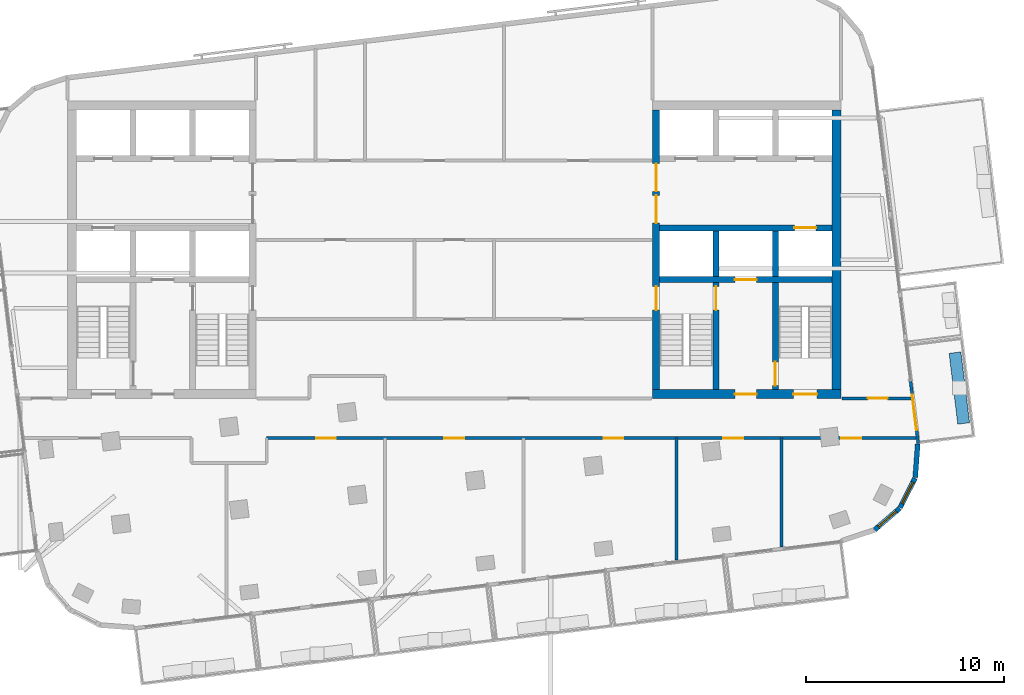
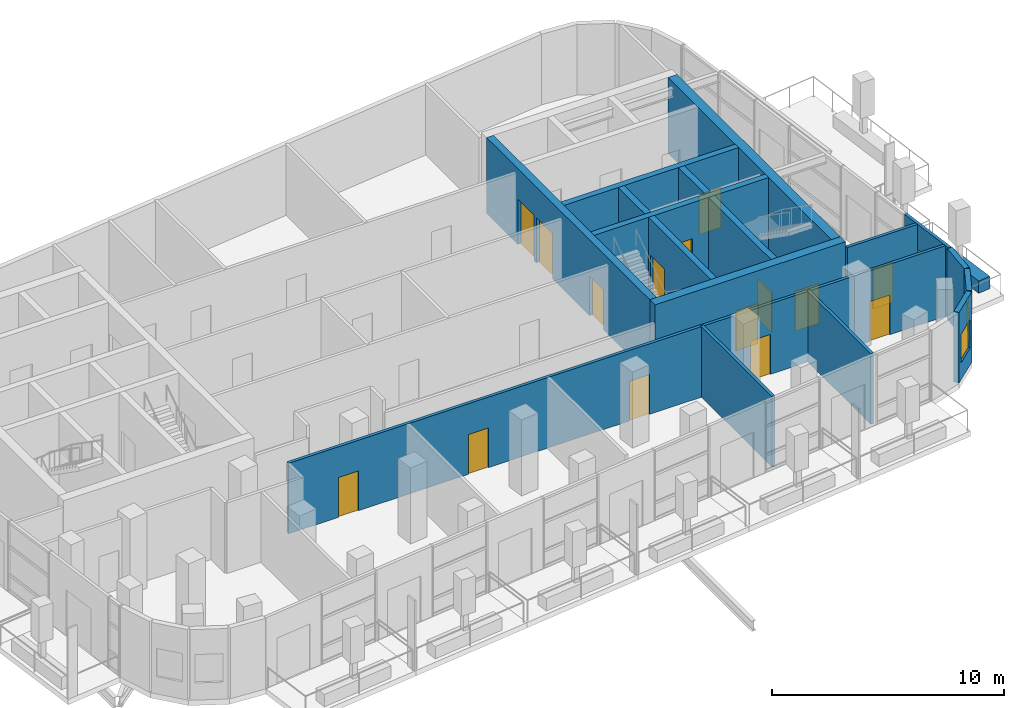
# One storey, part 8 of 13: 18 walls, 16 doors, 2 windows, 18 openings.
"""IFC4 building model written with IfcOpenShell, lengths in metres."""

import ifcopenshell
import ifcopenshell.guid

model = None  # the IFC model being written
_history = None  # IfcOwnerHistory: only IFC2X3 demands one
_inside = {}  # id of a spatial element -> (the spatial element, [elements in it])
_under = {}  # id of a project, library or spatial element -> (it, [spatial elements below it])
_declared = {}  # id of a project -> (the project, [libraries it declares])
_typed = {}  # id of a type object -> (the type object, [elements of that type])
_made_of = {}  # id of a material, layer set ... -> (it, [elements and type objects made of it])


def new_model(schema):
    """Start an empty IFC model of exactly this schema.

    Asked for "IFC4X3", IfcOpenShell would pick the latest addendum, in which some entities
    have other attributes; the version numbers below select the first issue.
    IFC2X3 requires an IfcOwnerHistory on every rooted entity: one is made here for all.
    """
    global model, _history
    if schema == "IFC4X3":
        model = ifcopenshell.file(schema_version=(4, 3, 0, 0))
    else:
        model = ifcopenshell.file(schema=schema)
    _inside.clear()
    _under.clear()
    _declared.clear()
    _typed.clear()
    _made_of.clear()
    _history = None
    if model.schema == "IFC2X3":
        org = make("IfcOrganization", Name="unknown")
        user = make(
            "IfcPersonAndOrganization",
            ThePerson=make("IfcPerson", FamilyName="unknown"),
            TheOrganization=org,
        )
        app = make(
            "IfcApplication",
            ApplicationDeveloper=org,
            Version="unknown",
            ApplicationFullName="unknown",
            ApplicationIdentifier="unknown",
        )
        _history = make(
            "IfcOwnerHistory",
            OwningUser=user,
            OwningApplication=app,
            ChangeAction="ADDED",
            CreationDate=0,
        )
    return model


def make(cls, **values):
    """One entity of the class cls with the attributes given. An attribute that is None is left unset."""
    return model.create_entity(
        cls, **{name: value for name, value in values.items() if value is not None}
    )


def rooted(cls, **values):
    """An entity with a GlobalId (a new one), such as an element, a storey or a relation."""
    return make(cls, GlobalId=ifcopenshell.guid.new(), OwnerHistory=_history, **values)


def si_unit(unit_type, name, prefix=None):
    """IfcSIUnit, for example si_unit("LENGTHUNIT", "METRE", prefix="MILLI")."""
    return make("IfcSIUnit", UnitType=unit_type, Prefix=prefix, Name=name)


def assignment(units):
    """IfcUnitAssignment: the units of a project."""
    return None if units is None else make("IfcUnitAssignment", Units=units)


def point(xyz):
    """IfcCartesianPoint."""
    return None if xyz is None else make("IfcCartesianPoint", Coordinates=xyz)


def direction(xyz):
    """IfcDirection."""
    return None if xyz is None else make("IfcDirection", DirectionRatios=xyz)


def frame(location, z_axis=None, x_axis=None):
    """IfcAxis2Placement3D, a coordinate frame: its origin and axes. An axis left out is left unset."""
    return make(
        "IfcAxis2Placement3D",
        Location=point(location),
        Axis=direction(z_axis),
        RefDirection=direction(x_axis),
    )


def frame_2d(location, x_axis=None):
    """IfcAxis2Placement2D, a coordinate frame in the plane: its origin and x axis."""
    return make(
        "IfcAxis2Placement2D", Location=point(location), RefDirection=direction(x_axis)
    )


def origin():
    """The frame at (0, 0, 0) with its axes left unset."""
    return frame((0.0, 0.0, 0.0))


def place(relative_to, where):
    """IfcLocalPlacement: puts the frame where relative to a parent placement (None: the world)."""
    return make(
        "IfcLocalPlacement", PlacementRelTo=relative_to, RelativePlacement=where
    )


def context(
    kind, dimensions, precision=None, world=None, true_north=None, identifier=None
):
    """IfcGeometricRepresentationContext, for example the 3D "Model" context."""
    return make(
        "IfcGeometricRepresentationContext",
        ContextIdentifier=identifier,
        ContextType=kind,
        CoordinateSpaceDimension=dimensions,
        Precision=precision,
        WorldCoordinateSystem=world,
        TrueNorth=true_north,
    )


def subcontext(parent, identifier, kind, view, scale=None):
    """IfcGeometricRepresentationSubContext, for example "Body" below "Model"."""
    return make(
        "IfcGeometricRepresentationSubContext",
        ContextIdentifier=identifier,
        ContextType=kind,
        ParentContext=parent,
        TargetScale=scale,
        TargetView=view,
    )


def project(units=None, contexts=None):
    """IfcProject with its units and contexts."""
    return rooted(
        "IfcProject",
        Name="project",
        RepresentationContexts=contexts,
        UnitsInContext=assignment(units),
    )


def spatial(cls, under=None, at=None, **own):
    """A site, building, storey or space (cls), placed at a placement, below another one or the project."""
    s = rooted(cls, ObjectPlacement=at, **own)
    if under is not None:
        _under.setdefault(under.id(), (under, []))[1].append(s)
    return s


def profile(cls, at=None, kind="AREA", **sizes):
    """A parametric profile (cls). Its sizes go by their IFC names, for example OverallWidth=200.0."""
    return make(cls, ProfileType=kind, Position=at, **sizes)


def rectangle(**sizes):
    """IfcRectangleProfileDef."""
    return profile("IfcRectangleProfileDef", **sizes)


def extrude(swept, where, along, depth):
    """IfcExtrudedAreaSolid: the profile swept, set in the frame where, extruded along a direction by depth."""
    return make(
        "IfcExtrudedAreaSolid",
        SweptArea=swept,
        Position=where,
        ExtrudedDirection=direction(along),
        Depth=depth,
    )


def shape(context_of_items, identifier, shape_type, items):
    """IfcShapeRepresentation: the items that make up one representation, for example the "Body"."""
    return make(
        "IfcShapeRepresentation",
        ContextOfItems=context_of_items,
        RepresentationIdentifier=identifier,
        RepresentationType=shape_type,
        Items=items,
    )


def material(Name=None, Category=None):
    """IfcMaterial."""
    return make("IfcMaterial", Name=Name, Category=Category)


def layer(
    of_material, thickness, ventilated=None, Name=None, Category=None, Priority=None
):
    """IfcMaterialLayer: one layer of a wall or slab, of a material (None: an air gap)."""
    return make(
        "IfcMaterialLayer",
        Material=of_material,
        LayerThickness=thickness,
        IsVentilated=ventilated,
        Name=Name,
        Category=Category,
        Priority=Priority,
    )


def layer_set(layers, Name=None):
    """IfcMaterialLayerSet."""
    return make("IfcMaterialLayerSet", MaterialLayers=layers, LayerSetName=Name)


def made_of(thing, what):
    """Note that an element or type object is made of a material, layer set ...; save() writes the relation."""
    if what is not None:
        _made_of.setdefault(what.id(), (what, []))[1].append(thing)
    return thing


def type_object(cls, material=None, **own):
    """A type object (cls), such as IfcWallType, which elements share."""
    return made_of(rooted(cls, **own), material)


def element(
    cls,
    number,
    at=None,
    inside=None,
    cuts=None,
    type_object=None,
    material=None,
    context=None,
    identifier="Body",
    shape_type=None,
    held_by="IfcProductDefinitionShape",
    body=None,
    shapes=None,
    **own,
):
    """One element of the class cls, such as IfcWall. Its Tag is "e" and its number.

    at: its placement. inside: the storey or other place that contains it. cuts: it is an
    opening in that element (IfcRelVoidsElement). A single representation is given by context,
    identifier, shape_type and body (its items); several are given by shapes. held_by: the class
    of the entity that holds the representations. save() writes the other relations.
    """
    e = rooted(cls, Tag="e%d" % number, ObjectPlacement=at, **own)
    if body is not None:
        shapes = [shape(context, identifier, shape_type, body)]
    if shapes is not None:
        e.Representation = make(held_by, Representations=shapes)
    if inside is not None:
        _inside.setdefault(inside.id(), (inside, []))[1].append(e)
    if cuts is not None:
        rooted(
            "IfcRelVoidsElement", RelatingBuildingElement=cuts, RelatedOpeningElement=e
        )
    if type_object is not None:
        _typed.setdefault(type_object.id(), (type_object, []))[1].append(e)
    return made_of(e, material)


def fill(opening, filler):
    """IfcRelFillsElement: the door or window that sits in an opening."""
    return rooted(
        "IfcRelFillsElement",
        RelatingOpeningElement=opening,
        RelatedBuildingElement=filler,
    )


def aggregate(whole, parts):
    """IfcRelAggregates: a whole, such as a stair, and the parts it consists of."""
    return rooted("IfcRelAggregates", RelatingObject=whole, RelatedObjects=parts)


def save(model, path):
    """Write the relations noted so far, then the file.

    IfcRelAggregates (storeys below a building ...), IfcRelContainedInSpatialStructure (elements
    in a storey), IfcRelDefinesByType, IfcRelAssociatesMaterial and IfcRelDeclares: one each for
    every whole, place, type object, material and project.
    """
    for whole, parts in _under.values():
        aggregate(whole, parts)
    for where, things in _inside.values():
        rooted(
            "IfcRelContainedInSpatialStructure",
            RelatedElements=things,
            RelatingStructure=where,
        )
    for kind, things in _typed.values():
        rooted("IfcRelDefinesByType", RelatedObjects=things, RelatingType=kind)
    for what, things in _made_of.values():
        rooted("IfcRelAssociatesMaterial", RelatedObjects=things, RelatingMaterial=what)
    for by, libraries in _declared.values():
        rooted("IfcRelDeclares", RelatingContext=by, RelatedDefinitions=libraries)
    model.write(path)


model = new_model("IFC4")

# Units and contexts
model_context = context("Model", 3, precision=1e-05, world=origin(), true_north=direction((0.0, 1.0)))
body_context = subcontext(model_context, "Body", "Model", "MODEL_VIEW")
ifc_project = project(units=[si_unit("LENGTHUNIT", "METRE"), si_unit("AREAUNIT", "SQUARE_METRE"), si_unit("VOLUMEUNIT", "CUBIC_METRE"), si_unit("PLANEANGLEUNIT", "RADIAN"), si_unit("MASSUNIT", "GRAM", prefix="KILO")], contexts=[model_context])

# Site, building, storey
site_placement = place(None, origin())
site = spatial("IfcSite", under=ifc_project, at=site_placement, CompositionType="ELEMENT")
building_placement = place(site_placement, origin())
building = spatial("IfcBuilding", under=site, at=building_placement, Name="Torana Hotel and Residences", CompositionType="ELEMENT")
storey_placement = place(building_placement, frame((0.0, 0.0, 314.60009765625)))
storey = spatial("IfcBuildingStorey", under=building, at=storey_placement, Name="L83", CompositionType="ELEMENT", Elevation=314.60009765625)

# Wall, opening, door
ifc_material_1 = material(Name="Concrete C60/75", Category="concrete")
ifc_layer_1 = layer(ifc_material_1, 0.300048828125)
ifc_layer_set_1 = layer_set([ifc_layer_1], Name="CORE WALL 300 C60/75")
wall_type_1 = type_object("IfcWallType", Name="CORE WALL 300 C60/75", PredefinedType="SHEAR", material=ifc_layer_set_1)
wall_1_placement = place(storey_placement, frame((10.35009765625, -6.39990234375, 0.0), z_axis=(0.0, 0.0, 1.0), x_axis=(1.0, 0.0, 0.0)))
wall_1 = element("IfcWall", 1, at=wall_1_placement, inside=storey, type_object=wall_type_1, Name="Core wall E row-S", PredefinedType="SHEAR", context=body_context, shape_type="SweptSolid", body=[
    extrude(rectangle(XDim=8.699951171875, YDim=0.300048828125, at=frame_2d((4.35009765625, 0.0))), origin(), (0.0, 0.0, 1.0), 4.0),
])
opening_1_placement = place(wall_1_placement, frame((6.800048828125, 0.0, 0.0)))
opening_1 = element("IfcOpeningElement", 2, at=opening_1_placement, cuts=wall_1, Name="Opening LD", PredefinedType="OPENING", context=body_context, shape_type="SweptSolid", body=[
    extrude(rectangle(XDim=1.10009765625, YDim=2.10009765625, at=frame_2d((0.550048828125, 1.050048828125))), frame((0.0, 0.159912109375, 0.0), z_axis=(0.0, -1.0, 0.0), x_axis=(1.0, 0.0, 0.0)), (0.0, 0.0, 1.0), 0.320068359375),
])
ifc_material_2 = material(Name="Stainless steel 316", Category="steel")
door_type_1 = type_object("IfcDoorType", Name="LIFT LANDING DOOR LD 1100x2100", OperationType="DOUBLE_DOOR_SLIDING", PredefinedType="USERDEFINED", material=ifc_material_2)
door_1_placement = place(opening_1_placement, origin())
door_1 = element("IfcDoor", 3, at=door_1_placement, inside=storey, type_object=door_type_1, Name="Lift landing door SV2 L83", ObjectType="LIFT LANDING DOOR", OperationType="DOUBLE_DOOR_SLIDING", OverallHeight=2.10009765625, OverallWidth=1.10009765625, PredefinedType="USERDEFINED", context=body_context, shape_type="SweptSolid", body=[
    extrude(rectangle(XDim=1.10009765625, YDim=2.10009765625, at=frame_2d((0.550048828125, 1.050048828125))), frame((0.0, 0.02490234375, 0.0), z_axis=(0.0, -1.0, 0.0), x_axis=(1.0, 0.0, 0.0)), (0.0, 0.0, 1.0), 0.050048828125),
])
fill(opening_1, door_1)

wall_2_placement = place(storey_placement, frame((10.35009765625, -9.0, 0.0), z_axis=(0.0, 0.0, 1.0), x_axis=(1.0, 0.0, 0.0)))
wall_2 = element("IfcWall", 4, at=wall_2_placement, inside=storey, type_object=wall_type_1, Name="Core wall E band", PredefinedType="SHEAR", context=body_context, shape_type="SweptSolid", body=[
    extrude(rectangle(XDim=8.699951171875, YDim=0.300048828125, at=frame_2d((4.35009765625, 0.0))), origin(), (0.0, 0.0, 1.0), 4.0),
])
opening_2_placement = place(wall_2_placement, frame((3.800048828125, 0.0, 0.0)))
opening_2 = element("IfcOpeningElement", 5, at=opening_2_placement, cuts=wall_2, Name="Opening LD", PredefinedType="OPENING", context=body_context, shape_type="SweptSolid", body=[
    extrude(rectangle(XDim=1.10009765625, YDim=2.10009765625, at=frame_2d((0.550048828125, 1.050048828125))), frame((0.0, 0.159912109375, 0.0), z_axis=(0.0, -1.0, 0.0), x_axis=(1.0, 0.0, 0.0)), (0.0, 0.0, 1.0), 0.320068359375),
])
door_2_placement = place(opening_2_placement, origin())
door_2 = element("IfcDoor", 6, at=door_2_placement, inside=storey, type_object=door_type_1, Name="Lift landing door FF2 L83", ObjectType="LIFT LANDING DOOR", OperationType="DOUBLE_DOOR_SLIDING", OverallHeight=2.10009765625, OverallWidth=1.10009765625, PredefinedType="USERDEFINED", context=body_context, shape_type="SweptSolid", body=[
    extrude(rectangle(XDim=1.10009765625, YDim=2.10009765625, at=frame_2d((0.550048828125, 1.050048828125))), frame((0.0, 0.02490234375, 0.0), z_axis=(0.0, -1.0, 0.0), x_axis=(1.0, 0.0, 0.0)), (0.0, 0.0, 1.0), 0.050048828125),
])
fill(opening_2, door_2)

# Wall
wall_3_placement = place(storey_placement, frame((13.199951171875, -8.85009765625, 0.0), z_axis=(0.0, 0.0, 1.0), x_axis=(0.0, 1.0, 0.0)))
element("IfcWall", 7, at=wall_3_placement, inside=storey, type_object=wall_type_1, Name="Core wall E x3.05-S", PredefinedType="SHEAR", context=body_context, shape_type="SweptSolid", body=[
    extrude(rectangle(XDim=2.300048828125, YDim=0.300048828125, at=frame_2d((1.14990234375, 0.0))), origin(), (0.0, 0.0, 1.0), 4.0),
])

# Wall, opening, door
wall_4_placement = place(storey_placement, frame((13.199951171875, -14.550048828125, 0.0), z_axis=(0.0, 0.0, 1.0), x_axis=(0.0, 1.0, 0.0)))
wall_4 = element("IfcWall", 8, at=wall_4_placement, inside=storey, type_object=wall_type_1, Name="Core wall E x3.05-band", PredefinedType="SHEAR", context=body_context, shape_type="SweptSolid", body=[
    extrude(rectangle(XDim=5.400146484375, YDim=0.300048828125, at=frame_2d((2.7001953125, 0.0))), origin(), (0.0, 0.0, 1.0), 4.0),
])
opening_3_placement = place(wall_4_placement, frame((4.0, 0.0, 0.0)))
opening_3 = element("IfcOpeningElement", 9, at=opening_3_placement, cuts=wall_4, Name="Opening L83-15", PredefinedType="OPENING", context=body_context, shape_type="SweptSolid", body=[
    extrude(rectangle(XDim=1.199951171875, YDim=2.10009765625, at=frame_2d((0.60009765625, 1.050048828125))), frame((0.0, 0.159912109375, 0.0), z_axis=(0.0, -1.0, 0.0), x_axis=(1.0, 0.0, 0.0)), (0.0, 0.0, 1.0), 0.320068359375),
])
ifc_material_3 = material(Name="Steel S235", Category="steel")
door_type_2 = type_object("IfcDoorType", Name="STAIR FIRE DOOR D3 1200x2100", OperationType="SINGLE_SWING_LEFT", PredefinedType="DOOR", material=ifc_material_3)
door_3_placement = place(opening_3_placement, origin())
door_3 = element("IfcDoor", 10, at=door_3_placement, inside=storey, type_object=door_type_2, Name="Stair-A-lobby door L83", OperationType="SINGLE_SWING_LEFT", OverallHeight=2.10009765625, OverallWidth=1.199951171875, PredefinedType="DOOR", context=body_context, shape_type="SweptSolid", body=[
    extrude(rectangle(XDim=1.199951171875, YDim=2.10009765625, at=frame_2d((0.60009765625, 1.050048828125))), frame((0.0, 0.02490234375, 0.0), z_axis=(0.0, -1.0, 0.0), x_axis=(1.0, 0.0, 0.0)), (0.0, 0.0, 1.0), 0.050048828125),
])
fill(opening_3, door_3)

# Wall
wall_5_placement = place(storey_placement, frame((16.199951171875, -8.85009765625, 0.0), z_axis=(0.0, 0.0, 1.0), x_axis=(0.0, 1.0, 0.0)))
element("IfcWall", 11, at=wall_5_placement, inside=storey, type_object=wall_type_1, Name="Core wall E x6.05-S", PredefinedType="SHEAR", context=body_context, shape_type="SweptSolid", body=[
    extrude(rectangle(XDim=2.300048828125, YDim=0.300048828125, at=frame_2d((1.14990234375, 0.0))), origin(), (0.0, 0.0, 1.0), 4.0),
])

# Wall, opening, door
wall_6_placement = place(storey_placement, frame((16.199951171875, -14.550048828125, 0.0), z_axis=(0.0, 0.0, 1.0), x_axis=(0.0, 1.0, 0.0)))
wall_6 = element("IfcWall", 12, at=wall_6_placement, inside=storey, type_object=wall_type_1, Name="Core wall E x6.05-band", PredefinedType="SHEAR", context=body_context, shape_type="SweptSolid", body=[
    extrude(rectangle(XDim=5.400146484375, YDim=0.300048828125, at=frame_2d((2.7001953125, 0.0))), origin(), (0.0, 0.0, 1.0), 4.0),
])
opening_4_placement = place(wall_6_placement, frame((0.199951171875, 0.0, 0.0)))
opening_4 = element("IfcOpeningElement", 13, at=opening_4_placement, cuts=wall_6, Name="Opening L83-16", PredefinedType="OPENING", context=body_context, shape_type="SweptSolid", body=[
    extrude(rectangle(XDim=1.199951171875, YDim=2.10009765625, at=frame_2d((0.60009765625, 1.050048828125))), frame((0.0, 0.159912109375, 0.0), z_axis=(0.0, -1.0, 0.0), x_axis=(1.0, 0.0, 0.0)), (0.0, 0.0, 1.0), 0.320068359375),
])
door_4_placement = place(opening_4_placement, frame((0.60009765625, 0.0, 0.0), z_axis=(0.0, 0.0, 1.0), x_axis=(-1.0, 0.0, 0.0)))
door_4 = element("IfcDoor", 14, at=door_4_placement, inside=storey, type_object=door_type_2, Name="Stair-B-lobby door L83", OperationType="SINGLE_SWING_LEFT", OverallHeight=2.10009765625, OverallWidth=1.199951171875, PredefinedType="DOOR", context=body_context, shape_type="SweptSolid", body=[
    extrude(rectangle(XDim=1.199951171875, YDim=2.10009765625, at=frame_2d((0.0, 1.050048828125))), frame((0.0, -0.02490234375, 0.0), z_axis=(0.0, 1.0, 0.0), x_axis=(-1.0, 0.0, 0.0)), (0.0, 0.0, 1.0), 0.050048828125),
])
fill(opening_4, door_4)

# Wall, openings, doors
ifc_material_4 = material(Name="Concrete C60/75", Category="concrete")
ifc_layer_2 = layer(ifc_material_4, 0.35009765625)
ifc_layer_set_2 = layer_set([ifc_layer_2], Name="CORE WALL 350 C60/75")
wall_type_2 = type_object("IfcWallType", Name="CORE WALL 350 C60/75", PredefinedType="SHEAR", material=ifc_layer_set_2)
wall_7_placement = place(storey_placement, frame((10.175048828125, -14.550048828125, 0.0), z_axis=(0.0, 0.0, 1.0), x_axis=(0.0, 1.0, 0.0)))
wall_7 = element("IfcWall", 15, at=wall_7_placement, inside=storey, type_object=wall_type_2, Name="Core wall E arch", PredefinedType="SHEAR", context=body_context, shape_type="SweptSolid", body=[
    extrude(rectangle(XDim=14.10009765625, YDim=0.35009765625, at=frame_2d((7.050048828125, 0.0))), origin(), (0.0, 0.0, 1.0), 4.0),
])
opening_5_placement = place(wall_7_placement, frame((8.39990234375, 0.0, 0.0)))
opening_5 = element("IfcOpeningElement", 16, at=opening_5_placement, cuts=wall_7, Name="Opening L83-09", PredefinedType="OPENING", context=body_context, shape_type="SweptSolid", body=[
    extrude(rectangle(XDim=1.39990234375, YDim=2.39990234375, at=frame_2d((0.699951171875, 1.199951171875))), frame((0.0, 0.18505859375, 0.0), z_axis=(0.0, -1.0, 0.0), x_axis=(1.0, 0.0, 0.0)), (0.0, 0.0, 1.0), 0.3701171875),
])
opening_6_placement = place(wall_7_placement, frame((10.0, 0.0, 0.0)))
opening_6 = element("IfcOpeningElement", 17, at=opening_6_placement, cuts=wall_7, Name="Opening L83-10", PredefinedType="OPENING", context=body_context, shape_type="SweptSolid", body=[
    extrude(rectangle(XDim=1.39990234375, YDim=2.39990234375, at=frame_2d((0.699951171875, 1.199951171875))), frame((0.0, 0.18505859375, 0.0), z_axis=(0.0, -1.0, 0.0), x_axis=(1.0, 0.0, 0.0)), (0.0, 0.0, 1.0), 0.3701171875),
])
opening_7_placement = place(wall_7_placement, frame((4.0, 0.0, 0.0)))
opening_7 = element("IfcOpeningElement", 18, at=opening_7_placement, cuts=wall_7, Name="Opening L83-11", PredefinedType="OPENING", context=body_context, shape_type="SweptSolid", body=[
    extrude(rectangle(XDim=1.199951171875, YDim=2.10009765625, at=frame_2d((0.60009765625, 1.050048828125))), frame((0.0, 0.18505859375, 0.0), z_axis=(0.0, -1.0, 0.0), x_axis=(1.0, 0.0, 0.0)), (0.0, 0.0, 1.0), 0.3701171875),
])
ifc_material_5 = material(Name="Steel S235", Category="steel")
door_type_3 = type_object("IfcDoorType", Name="LOBBY FIRE DOOR D4 1400x2400", OperationType="DOUBLE_DOOR_SINGLE_SWING", PredefinedType="DOOR", material=ifc_material_5)
door_5_placement = place(opening_5_placement, origin())
door_5 = element("IfcDoor", 19, at=door_5_placement, inside=storey, type_object=door_type_3, Name="Lobby-1 door L83", OperationType="DOUBLE_DOOR_SINGLE_SWING", OverallHeight=2.39990234375, OverallWidth=1.39990234375, PredefinedType="DOOR", context=body_context, shape_type="SweptSolid", body=[
    extrude(rectangle(XDim=1.39990234375, YDim=2.39990234375, at=frame_2d((0.699951171875, 1.199951171875))), frame((0.0, 0.02490234375, 0.0), z_axis=(0.0, -1.0, 0.0), x_axis=(1.0, 0.0, 0.0)), (0.0, 0.0, 1.0), 0.050048828125),
])
fill(opening_5, door_5)
door_6_placement = place(opening_6_placement, origin())
door_6 = element("IfcDoor", 20, at=door_6_placement, inside=storey, type_object=door_type_3, Name="Lobby-2 door L83", OperationType="DOUBLE_DOOR_SINGLE_SWING", OverallHeight=2.39990234375, OverallWidth=1.39990234375, PredefinedType="DOOR", context=body_context, shape_type="SweptSolid", body=[
    extrude(rectangle(XDim=1.39990234375, YDim=2.39990234375, at=frame_2d((0.699951171875, 1.199951171875))), frame((0.0, 0.02490234375, 0.0), z_axis=(0.0, -1.0, 0.0), x_axis=(1.0, 0.0, 0.0)), (0.0, 0.0, 1.0), 0.050048828125),
])
fill(opening_6, door_6)
door_7_placement = place(opening_7_placement, frame((0.60009765625, 0.0, 0.0), z_axis=(0.0, 0.0, 1.0), x_axis=(-1.0, 0.0, 0.0)))
door_7 = element("IfcDoor", 21, at=door_7_placement, inside=storey, type_object=door_type_2, Name="Stair-A door L83", OperationType="SINGLE_SWING_RIGHT", OverallHeight=2.10009765625, OverallWidth=1.199951171875, PredefinedType="DOOR", context=body_context, shape_type="SweptSolid", body=[
    extrude(rectangle(XDim=1.199951171875, YDim=2.10009765625, at=frame_2d((0.0, 1.050048828125))), frame((0.0, -0.02490234375, 0.0), z_axis=(0.0, 1.0, 0.0), x_axis=(-1.0, 0.0, 0.0)), (0.0, 0.0, 1.0), 0.050048828125),
])
fill(opening_7, door_7)

ifc_material_6 = material(Name="Concrete C60/75", Category="concrete")
ifc_layer_3 = layer(ifc_material_6, 0.449951171875)
ifc_layer_set_3 = layer_set([ifc_layer_3], Name="CORE WALL 450 C60/75")
wall_type_3 = type_object("IfcWallType", Name="CORE WALL 450 C60/75", PredefinedType="SHEAR", material=ifc_layer_set_3)
wall_8_placement = place(storey_placement, frame((10.0, -14.77490234375, 0.0), z_axis=(0.0, 0.0, 1.0), x_axis=(1.0, 0.0, 0.0)))
wall_8 = element("IfcWall", 22, at=wall_8_placement, inside=storey, type_object=wall_type_3, Name="Core wall E front", PredefinedType="SHEAR", context=body_context, shape_type="SweptSolid", body=[
    extrude(rectangle(XDim=9.5, YDim=0.449951171875, at=frame_2d((4.75, 0.0))), origin(), (0.0, 0.0, 1.0), 4.0),
])
opening_8_placement = place(wall_8_placement, frame((7.10009765625, 0.0, 0.0)))
opening_8 = element("IfcOpeningElement", 23, at=opening_8_placement, cuts=wall_8, Name="Opening L83-12", PredefinedType="OPENING", context=body_context, shape_type="SweptSolid", body=[
    extrude(rectangle(XDim=1.199951171875, YDim=2.10009765625, at=frame_2d((0.60009765625, 1.050048828125))), frame((0.0, 0.23486328125, 0.0), z_axis=(0.0, -1.0, 0.0), x_axis=(1.0, 0.0, 0.0)), (0.0, 0.0, 1.0), 0.469970703125),
])
opening_9_placement = place(wall_8_placement, frame((4.14990234375, 0.0, 0.0)))
opening_9 = element("IfcOpeningElement", 24, at=opening_9_placement, cuts=wall_8, Name="Opening L83-13", PredefinedType="OPENING", context=body_context, shape_type="SweptSolid", body=[
    extrude(rectangle(XDim=1.10009765625, YDim=2.10009765625, at=frame_2d((0.550048828125, 1.050048828125))), frame((0.0, 0.23486328125, 0.0), z_axis=(0.0, -1.0, 0.0), x_axis=(1.0, 0.0, 0.0)), (0.0, 0.0, 1.0), 0.469970703125),
])
ifc_material_7 = material(Name="Steel S235", Category="steel")
door_type_4 = type_object("IfcDoorType", Name="FIRE-FIGHTING LOBBY DOOR D8 1100x2100", OperationType="SINGLE_SWING_LEFT", PredefinedType="DOOR", material=ifc_material_7)
door_8_placement = place(opening_9_placement, origin())
door_8 = element("IfcDoor", 25, at=door_8_placement, inside=storey, type_object=door_type_4, Name="FF-lobby door L83", OperationType="SINGLE_SWING_RIGHT", OverallHeight=2.10009765625, OverallWidth=1.10009765625, PredefinedType="DOOR", context=body_context, shape_type="SweptSolid", body=[
    extrude(rectangle(XDim=1.10009765625, YDim=2.10009765625, at=frame_2d((0.550048828125, 1.050048828125))), frame((0.0, 0.02490234375, 0.0), z_axis=(0.0, -1.0, 0.0), x_axis=(1.0, 0.0, 0.0)), (0.0, 0.0, 1.0), 0.050048828125),
])
fill(opening_9, door_8)
door_9_placement = place(opening_8_placement, origin())
door_9 = element("IfcDoor", 26, at=door_9_placement, inside=storey, type_object=door_type_2, Name="Stair-B door L83", OperationType="SINGLE_SWING_RIGHT", OverallHeight=2.10009765625, OverallWidth=1.199951171875, PredefinedType="DOOR", context=body_context, shape_type="SweptSolid", body=[
    extrude(rectangle(XDim=1.199951171875, YDim=2.10009765625, at=frame_2d((0.60009765625, 1.050048828125))), frame((0.0, 0.02490234375, 0.0), z_axis=(0.0, -1.0, 0.0), x_axis=(1.0, 0.0, 0.0)), (0.0, 0.0, 1.0), 0.050048828125),
])
fill(opening_8, door_9)

# Wall
wall_9_placement = place(storey_placement, frame((19.27490234375, -14.550048828125, 0.0), z_axis=(0.0, 0.0, 1.0), x_axis=(0.0, 1.0, 0.0)))
element("IfcWall", 27, at=wall_9_placement, inside=storey, type_object=wall_type_3, Name="Core wall E outer", PredefinedType="SHEAR", context=body_context, shape_type="SweptSolid", body=[
    extrude(rectangle(XDim=14.10009765625, YDim=0.449951171875, at=frame_2d((7.050048828125, 0.0))), origin(), (0.0, 0.0, 1.0), 4.0),
])

# Wall, opening, window
ifc_material_8 = material(Name="Black aluminium composite panel", Category="aluminium")
ifc_layer_4 = layer(ifc_material_8, 0.00390625, Name="Cladding", Category="cladding")
ifc_material_9 = material(Name="Ventilated air cavity")
ifc_layer_5 = layer(ifc_material_9, 0.0400390625, Name="Ventilated cavity", Category="cavity")
ifc_material_10 = material(Name="Mineral wool insulation")
ifc_layer_6 = layer(ifc_material_10, 0.090087890625, Name="Insulation", Category="insulation")
ifc_material_11 = material(Name="Steel S280GD", Category="steel")
ifc_layer_7 = layer(ifc_material_11, 0.092041015625, Name="Steel stud frame", Category="structure")
ifc_material_12 = material(Name="Fire rated plasterboard")
ifc_layer_8 = layer(ifc_material_12, 0.011962890625, Name="Inner board", Category="finish")
ifc_layer_9 = layer(ifc_material_12, 0.011962890625, Name="Second board", Category="finish")
ifc_layer_set_4 = layer_set([ifc_layer_4, ifc_layer_5, ifc_layer_6, ifc_layer_7, ifc_layer_8, ifc_layer_9], Name="EW1 EXTERNAL WALL BLACK METAL CLAD 250")
wall_type_4 = type_object("IfcWallType", Name="EW1 EXTERNAL WALL BLACK METAL CLAD 250", PredefinedType="SOLIDWALL", material=ifc_layer_set_4)
wall_10_placement = place(storey_placement, frame((21.207763671875, -21.624267578125, 0.0), z_axis=(0.0, 0.0, 1.0), x_axis=(0.757568315466, 0.652755886531, 0.0)))
wall_10 = element("IfcWall", 28, at=wall_10_placement, inside=storey, type_object=wall_type_4, Name="External wall L83 e0.16", PredefinedType="SOLIDWALL", context=body_context, shape_type="SweptSolid", body=[
    extrude(rectangle(XDim=1.65625, YDim=0.25, at=frame_2d((0.828125, 0.0))), origin(), (0.0, 0.0, 1.0), 3.719970703125),
])
opening_10_placement = place(wall_10_placement, frame((0.228271484375, 0.0, 0.89990234375)))
opening_10 = element("IfcOpeningElement", 29, at=opening_10_placement, cuts=wall_10, Name="Opening W5", PredefinedType="OPENING", context=body_context, shape_type="SweptSolid", body=[
    extrude(rectangle(XDim=1.199951171875, YDim=1.5, at=frame_2d((0.60009765625, 0.75))), frame((0.0, 0.135009765625, 0.0), z_axis=(0.0, -1.0, 0.0), x_axis=(1.0, 0.0, 0.0)), (0.0, 0.0, 1.0), 0.27001953125),
])
ifc_material_13 = material(Name="Dark glass in black aluminium frame", Category="aluminium")
window_type = type_object("IfcWindowType", Name="W5 CORNER FACET WINDOW 1200x1500", PartitioningType="SINGLE_PANEL", PredefinedType="WINDOW", material=ifc_material_13)
window_1_placement = place(opening_10_placement, origin())
window_1 = element("IfcWindow", 30, at=window_1_placement, inside=storey, type_object=window_type, Name="Window L83 e0.16", OverallHeight=1.5, OverallWidth=1.199951171875, PartitioningType="SINGLE_PANEL", PredefinedType="WINDOW", context=body_context, shape_type="SweptSolid", body=[
    extrude(rectangle(XDim=1.199951171875, YDim=1.5, at=frame_2d((0.60009765625, 0.75))), frame((0.0, 0.030029296875, 0.0), z_axis=(0.0, -1.0, 0.0), x_axis=(1.0, 0.0, 0.0)), (0.0, 0.0, 1.0), 0.06005859375),
])
fill(opening_10, window_1)

wall_11_placement = place(storey_placement, frame((22.49267578125, -20.504638671875, 0.0), z_axis=(0.0, 0.0, 1.0), x_axis=(0.449982385812, 0.893037430604, 0.0)))
wall_11 = element("IfcWall", 31, at=wall_11_placement, inside=storey, type_object=wall_type_4, Name="External wall L83 e0.17", PredefinedType="SOLIDWALL", context=body_context, shape_type="SweptSolid", body=[
    extrude(rectangle(XDim=1.656494140625, YDim=0.25, at=frame_2d((0.828125, 0.0))), origin(), (0.0, 0.0, 1.0), 3.719970703125),
])
opening_11_placement = place(wall_11_placement, frame((0.228271484375, 0.0, 0.89990234375)))
opening_11 = element("IfcOpeningElement", 32, at=opening_11_placement, cuts=wall_11, Name="Opening W5", PredefinedType="OPENING", context=body_context, shape_type="SweptSolid", body=[
    extrude(rectangle(XDim=1.199951171875, YDim=1.5, at=frame_2d((0.60009765625, 0.75))), frame((0.0, 0.135009765625, 0.0), z_axis=(0.0, -1.0, 0.0), x_axis=(1.0, 0.0, 0.0)), (0.0, 0.0, 1.0), 0.27001953125),
])
window_2_placement = place(opening_11_placement, origin())
window_2 = element("IfcWindow", 33, at=window_2_placement, inside=storey, type_object=window_type, Name="Window L83 e0.17", OverallHeight=1.5, OverallWidth=1.199951171875, PartitioningType="SINGLE_PANEL", PredefinedType="WINDOW", context=body_context, shape_type="SweptSolid", body=[
    extrude(rectangle(XDim=1.199951171875, YDim=1.5, at=frame_2d((0.60009765625, 0.75))), frame((0.0, 0.030029296875, 0.0), z_axis=(0.0, -1.0, 0.0), x_axis=(1.0, 0.0, 0.0)), (0.0, 0.0, 1.0), 0.06005859375),
])
fill(opening_11, window_2)

# Wall
wall_12_placement = place(storey_placement, frame((23.251220703125, -18.978515625, 0.0), z_axis=(0.0, 0.0, 1.0), x_axis=(0.074053534713, 0.997254267475, 0.0)))
element("IfcWall", 34, at=wall_12_placement, inside=storey, type_object=wall_type_4, Name="External wall L83 e0.18", PredefinedType="SOLIDWALL", context=body_context, shape_type="SweptSolid", body=[
    extrude(rectangle(XDim=1.681396484375, YDim=0.25, at=frame_2d((0.8408203125, 0.0))), origin(), (0.0, 0.0, 1.0), 3.719970703125),
])

# Wall, openings, doors
ifc_material_14 = material(Name="Gypsum plaster")
ifc_layer_10 = layer(ifc_material_14, 0.014892578125, Name="Plaster", Category="finish")
ifc_material_15 = material(Name="Concrete blockwork", Category="masonry")
ifc_layer_11 = layer(ifc_material_15, 0.1201171875, Name="Blockwork", Category="structure")
ifc_layer_12 = layer(ifc_material_14, 0.014892578125, Name="Plaster", Category="finish")
ifc_layer_set_5 = layer_set([ifc_layer_10, ifc_layer_11, ifc_layer_12], Name="FIRE PARTITION 150 BLOCKWORK")
wall_type_5 = type_object("IfcWallType", Name="FIRE PARTITION 150 BLOCKWORK", PredefinedType="PARTITIONING", material=ifc_layer_set_5)
wall_13_placement = place(storey_placement, frame((-9.4609375, -17.0, 0.0), z_axis=(0.0, 0.0, 1.0), x_axis=(1.0, 0.0, 0.0)))
wall_13 = element("IfcWall", 35, at=wall_13_placement, inside=storey, type_object=wall_type_5, Name="Partition L83", PredefinedType="PARTITIONING", context=body_context, shape_type="SweptSolid", body=[
    extrude(rectangle(XDim=32.74658203125, YDim=0.14990234375, at=frame_2d((16.373291015625, 0.0))), origin(), (0.0, 0.0, 1.0), 3.719970703125),
])
opening_12_placement = place(wall_13_placement, frame((2.489013671875, 0.0, 0.0)))
opening_12 = element("IfcOpeningElement", 36, at=opening_12_placement, cuts=wall_13, Name="Opening L83-19", PredefinedType="OPENING", context=body_context, shape_type="SweptSolid", body=[
    extrude(rectangle(XDim=1.0, YDim=2.10009765625, at=frame_2d((0.5, 1.050048828125))), frame((0.0, 0.0849609375, 0.0), z_axis=(0.0, -1.0, 0.0), x_axis=(1.0, 0.0, 0.0)), (0.0, 0.0, 1.0), 0.169921875),
])
opening_13_placement = place(wall_13_placement, frame((8.958984375, 0.0, 0.0)))
opening_13 = element("IfcOpeningElement", 37, at=opening_13_placement, cuts=wall_13, Name="Opening L83-20", PredefinedType="OPENING", context=body_context, shape_type="SweptSolid", body=[
    extrude(rectangle(XDim=1.0, YDim=2.10009765625, at=frame_2d((0.5, 1.050048828125))), frame((0.0, 0.0849609375, 0.0), z_axis=(0.0, -1.0, 0.0), x_axis=(1.0, 0.0, 0.0)), (0.0, 0.0, 1.0), 0.169921875),
])
opening_14_placement = place(wall_13_placement, frame((16.989013671875, 0.0, 0.0)))
opening_14 = element("IfcOpeningElement", 38, at=opening_14_placement, cuts=wall_13, Name="Opening L83-21", PredefinedType="OPENING", context=body_context, shape_type="SweptSolid", body=[
    extrude(rectangle(XDim=1.0, YDim=2.10009765625, at=frame_2d((0.5, 1.050048828125))), frame((0.0, 0.0849609375, 0.0), z_axis=(0.0, -1.0, 0.0), x_axis=(1.0, 0.0, 0.0)), (0.0, 0.0, 1.0), 0.169921875),
])
opening_15_placement = place(wall_13_placement, frame((23.033447265625, 0.0, 0.0)))
opening_15 = element("IfcOpeningElement", 39, at=opening_15_placement, cuts=wall_13, Name="Opening L83-22", PredefinedType="OPENING", context=body_context, shape_type="SweptSolid", body=[
    extrude(rectangle(XDim=1.0, YDim=2.10009765625, at=frame_2d((0.5, 1.050048828125))), frame((0.0, 0.0849609375, 0.0), z_axis=(0.0, -1.0, 0.0), x_axis=(1.0, 0.0, 0.0)), (0.0, 0.0, 1.0), 0.169921875),
])
opening_16_placement = place(wall_13_placement, frame((28.988525390625, 0.0, 0.0)))
opening_16 = element("IfcOpeningElement", 40, at=opening_16_placement, cuts=wall_13, Name="Opening L83-23", PredefinedType="OPENING", context=body_context, shape_type="SweptSolid", body=[
    extrude(rectangle(XDim=1.0, YDim=2.10009765625, at=frame_2d((0.5, 1.050048828125))), frame((0.0, 0.0849609375, 0.0), z_axis=(0.0, -1.0, 0.0), x_axis=(1.0, 0.0, 0.0)), (0.0, 0.0, 1.0), 0.169921875),
])
ifc_material_16 = material(Name="Steel S235", Category="steel")
door_type_5 = type_object("IfcDoorType", Name="ENTRY FIRE DOOR D6 1000x2100", OperationType="SINGLE_SWING_LEFT", PredefinedType="DOOR", material=ifc_material_16)
door_10_placement = place(opening_12_placement, frame((0.5, 0.0, 0.0), z_axis=(0.0, 0.0, 1.0), x_axis=(-1.0, 0.0, 0.0)))
door_10 = element("IfcDoor", 41, at=door_10_placement, inside=storey, type_object=door_type_5, Name="Door L83", OperationType="SINGLE_SWING_LEFT", OverallHeight=2.10009765625, OverallWidth=1.0, PredefinedType="DOOR", context=body_context, shape_type="SweptSolid", body=[
    extrude(rectangle(XDim=1.0, YDim=2.10009765625, at=frame_2d((0.0, 1.050048828125))), frame((0.0, -0.02490234375, 0.0), z_axis=(0.0, 1.0, 0.0), x_axis=(-1.0, 0.0, 0.0)), (0.0, 0.0, 1.0), 0.050048828125),
])
fill(opening_12, door_10)
door_11_placement = place(opening_13_placement, frame((0.5, 0.0, 0.0), z_axis=(0.0, 0.0, 1.0), x_axis=(-1.0, 0.0, 0.0)))
door_11 = element("IfcDoor", 42, at=door_11_placement, inside=storey, type_object=door_type_5, Name="Door L83", OperationType="SINGLE_SWING_LEFT", OverallHeight=2.10009765625, OverallWidth=1.0, PredefinedType="DOOR", context=body_context, shape_type="SweptSolid", body=[
    extrude(rectangle(XDim=1.0, YDim=2.10009765625, at=frame_2d((0.0, 1.050048828125))), frame((0.0, -0.02490234375, 0.0), z_axis=(0.0, 1.0, 0.0), x_axis=(-1.0, 0.0, 0.0)), (0.0, 0.0, 1.0), 0.050048828125),
])
fill(opening_13, door_11)
door_12_placement = place(opening_14_placement, frame((0.5, 0.0, 0.0), z_axis=(0.0, 0.0, 1.0), x_axis=(-1.0, 0.0, 0.0)))
door_12 = element("IfcDoor", 43, at=door_12_placement, inside=storey, type_object=door_type_5, Name="Door L83", OperationType="SINGLE_SWING_LEFT", OverallHeight=2.10009765625, OverallWidth=1.0, PredefinedType="DOOR", context=body_context, shape_type="SweptSolid", body=[
    extrude(rectangle(XDim=1.0, YDim=2.10009765625, at=frame_2d((0.0, 1.050048828125))), frame((0.0, -0.02490234375, 0.0), z_axis=(0.0, 1.0, 0.0), x_axis=(-1.0, 0.0, 0.0)), (0.0, 0.0, 1.0), 0.050048828125),
])
fill(opening_14, door_12)
door_13_placement = place(opening_15_placement, frame((0.5, 0.0, 0.0), z_axis=(0.0, 0.0, 1.0), x_axis=(-1.0, 0.0, 0.0)))
door_13 = element("IfcDoor", 44, at=door_13_placement, inside=storey, type_object=door_type_5, Name="Door L83", OperationType="SINGLE_SWING_LEFT", OverallHeight=2.10009765625, OverallWidth=1.0, PredefinedType="DOOR", context=body_context, shape_type="SweptSolid", body=[
    extrude(rectangle(XDim=1.0, YDim=2.10009765625, at=frame_2d((0.0, 1.050048828125))), frame((0.0, -0.02490234375, 0.0), z_axis=(0.0, 1.0, 0.0), x_axis=(-1.0, 0.0, 0.0)), (0.0, 0.0, 1.0), 0.050048828125),
])
fill(opening_15, door_13)
door_14_placement = place(opening_16_placement, frame((0.5, 0.0, 0.0), z_axis=(0.0, 0.0, 1.0), x_axis=(-1.0, 0.0, 0.0)))
door_14 = element("IfcDoor", 45, at=door_14_placement, inside=storey, type_object=door_type_5, Name="Door L83", OperationType="SINGLE_SWING_LEFT", OverallHeight=2.10009765625, OverallWidth=1.0, PredefinedType="DOOR", context=body_context, shape_type="SweptSolid", body=[
    extrude(rectangle(XDim=1.0, YDim=2.10009765625, at=frame_2d((0.0, 1.050048828125))), frame((0.0, -0.02490234375, 0.0), z_axis=(0.0, 1.0, 0.0), x_axis=(-1.0, 0.0, 0.0)), (0.0, 0.0, 1.0), 0.050048828125),
])
fill(opening_16, door_14)

# Wall, opening, door
wall_14_placement = place(storey_placement, frame((19.550048828125, -15.0, 0.0), z_axis=(0.0, 0.0, 1.0), x_axis=(1.0, 0.0, 0.0)))
wall_14 = element("IfcWall", 46, at=wall_14_placement, inside=storey, type_object=wall_type_5, Name="Partition L83", PredefinedType="PARTITIONING", context=body_context, shape_type="SweptSolid", body=[
    extrude(rectangle(XDim=3.489990234375, YDim=0.14990234375, at=frame_2d((1.7451171875, 0.0))), origin(), (0.0, 0.0, 1.0), 3.719970703125),
])
opening_17_placement = place(wall_14_placement, frame((1.31103515625, 0.0, 0.0)))
opening_17 = element("IfcOpeningElement", 47, at=opening_17_placement, cuts=wall_14, Name="Opening L83-25", PredefinedType="OPENING", context=body_context, shape_type="SweptSolid", body=[
    extrude(rectangle(XDim=1.0, YDim=2.10009765625, at=frame_2d((0.5, 1.050048828125))), frame((0.0, 0.0849609375, 0.0), z_axis=(0.0, -1.0, 0.0), x_axis=(1.0, 0.0, 0.0)), (0.0, 0.0, 1.0), 0.169921875),
])
ifc_material_17 = material(Name="Steel S235", Category="steel")
door_type_6 = type_object("IfcDoorType", Name="CORE ROOM FIRE DOOR D14 1000x2100", OperationType="SINGLE_SWING_LEFT", PredefinedType="DOOR", material=ifc_material_17)
door_15_placement = place(opening_17_placement, origin())
door_15 = element("IfcDoor", 48, at=door_15_placement, inside=storey, type_object=door_type_6, Name="Door L83", OperationType="SINGLE_SWING_LEFT", OverallHeight=2.10009765625, OverallWidth=1.0, PredefinedType="DOOR", context=body_context, shape_type="SweptSolid", body=[
    extrude(rectangle(XDim=1.0, YDim=2.10009765625, at=frame_2d((0.5, 1.050048828125))), frame((0.0, 0.02490234375, 0.0), z_axis=(0.0, -1.0, 0.0), x_axis=(1.0, 0.0, 0.0)), (0.0, 0.0, 1.0), 0.050048828125),
])
fill(opening_17, door_15)

ifc_material_18 = material(Name="Dark glass screen in aluminium frame", Category="aluminium")
ifc_layer_13 = layer(ifc_material_18, 0.14990234375)
ifc_layer_set_6 = layer_set([ifc_layer_13], Name="GS1 GLAZED DOOR SCREEN 150")
wall_type_6 = type_object("IfcWallType", Name="GS1 GLAZED DOOR SCREEN 150", PredefinedType="USERDEFINED", material=ifc_layer_set_6)
wall_15_placement = place(storey_placement, frame((23.39990234375, -17.274169921875, 0.0), z_axis=(0.0, 0.0, 1.0), x_axis=(-0.121858082248, 0.992547534273, 0.0)))
wall_15 = element("IfcWall", 49, at=wall_15_placement, inside=storey, type_object=wall_type_6, Name="Glazed door screen L83", ObjectType="GLAZED SCREEN", PredefinedType="USERDEFINED", context=body_context, shape_type="SweptSolid", body=[
    extrude(rectangle(XDim=3.175537109375, YDim=0.14990234375, at=frame_2d((1.587890625, 0.0))), origin(), (0.0, 0.0, 1.0), 3.719970703125),
])
opening_18_placement = place(wall_15_placement, frame((0.687744140625, 0.0, 0.0)))
opening_18 = element("IfcOpeningElement", 50, at=opening_18_placement, cuts=wall_15, Name="Opening L83-E10", PredefinedType="OPENING", context=body_context, shape_type="SweptSolid", body=[
    extrude(rectangle(XDim=1.800048828125, YDim=2.39990234375, at=frame_2d((0.89990234375, 1.199951171875))), frame((0.0, 0.0849609375, 0.0), z_axis=(0.0, -1.0, 0.0), x_axis=(1.0, 0.0, 0.0)), (0.0, 0.0, 1.0), 0.169921875),
])
ifc_material_19 = material(Name="Dark glass in black aluminium frame", Category="aluminium")
door_type_7 = type_object("IfcDoorType", Name="DB1 BALCONY DOOR 1800x2400", OperationType="DOUBLE_DOOR_SINGLE_SWING", PredefinedType="DOOR", material=ifc_material_19)
door_16_placement = place(opening_18_placement, origin())
door_16 = element("IfcDoor", 51, at=door_16_placement, inside=storey, type_object=door_type_7, Name="Balcony door L83", OperationType="DOUBLE_DOOR_SINGLE_SWING", OverallHeight=2.39990234375, OverallWidth=1.800048828125, PredefinedType="DOOR", context=body_context, shape_type="SweptSolid", body=[
    extrude(rectangle(XDim=1.800048828125, YDim=2.39990234375, at=frame_2d((0.89990234375, 1.199951171875))), frame((0.0, 0.02490234375, 0.0), z_axis=(0.0, -1.0, 0.0), x_axis=(1.0, 0.0, 0.0)), (0.0, 0.0, 1.0), 0.050048828125),
])
fill(opening_18, door_16)

# Walls
ifc_material_20 = material(Name="Gypsum plasterboard")
ifc_layer_14 = layer(ifc_material_20, 0.012451171875, Name="Plasterboard", Category="finish")
ifc_layer_15 = layer(ifc_material_20, 0.012451171875, Name="Plasterboard", Category="finish")
ifc_layer_16 = layer(ifc_material_11, 0.10009765625, Name="Steel studs with mineral wool", Category="insulation")
ifc_layer_17 = layer(ifc_material_20, 0.012451171875, Name="Plasterboard", Category="finish")
ifc_layer_18 = layer(ifc_material_20, 0.012451171875, Name="Plasterboard", Category="finish")
ifc_layer_set_7 = layer_set([ifc_layer_14, ifc_layer_15, ifc_layer_16, ifc_layer_17, ifc_layer_18], Name="PARTITION 150 PLASTERBOARD")
wall_type_7 = type_object("IfcWallType", Name="PARTITION 150 PLASTERBOARD", PredefinedType="PARTITIONING", material=ifc_layer_set_7)
wall_16_placement = place(storey_placement, frame((16.498046875, -22.498779296875, 0.0), z_axis=(0.0, 0.0, 1.0), x_axis=(0.0, 1.0, 0.0)))
element("IfcWall", 52, at=wall_16_placement, inside=storey, type_object=wall_type_7, Name="Partition L83", PredefinedType="PARTITIONING", context=body_context, shape_type="SweptSolid", body=[
    extrude(rectangle(XDim=5.498779296875, YDim=0.14990234375, at=frame_2d((2.74951171875, 0.0))), origin(), (0.0, 0.0, 1.0), 3.719970703125),
])
wall_17_placement = place(storey_placement, frame((11.197998046875, -23.149658203125, 0.0), z_axis=(0.0, 0.0, 1.0), x_axis=(0.0, 1.0, 0.0)))
element("IfcWall", 53, at=wall_17_placement, inside=storey, type_object=wall_type_7, Name="Partition L83", PredefinedType="PARTITIONING", context=body_context, shape_type="SweptSolid", body=[
    extrude(rectangle(XDim=6.149658203125, YDim=0.14990234375, at=frame_2d((3.07470703125, 0.0))), origin(), (0.0, 0.0, 1.0), 3.719970703125),
])
ifc_material_21 = material(Name="Concrete C40/50 precast", Category="concrete")
ifc_layer_19 = layer(ifc_material_21, 0.10009765625, Name="Planter shell", Category="structure")
ifc_material_22 = material(Name="Root resistant membrane")
ifc_layer_20 = layer(ifc_material_22, 0.00390625, Name="Waterproofing membrane", Category="membrane")
ifc_material_23 = material(Name="Drainage board with filter fleece")
ifc_layer_21 = layer(ifc_material_23, 0.02001953125, Name="Drainage board", Category="drainage")
ifc_material_24 = material(Name="Growing medium")
ifc_layer_22 = layer(ifc_material_24, 0.47607421875, Name="Planting substrate", Category="soil")
ifc_layer_set_8 = layer_set([ifc_layer_19, ifc_layer_20, ifc_layer_21, ifc_layer_22], Name="PL1 BALCONY PLANTER 600")
wall_type_8 = type_object("IfcWallType", Name="PL1 BALCONY PLANTER 600", PredefinedType="USERDEFINED", material=ifc_layer_set_8)
wall_18_placement = place(storey_placement, frame((25.2548828125, -12.6884765625, 0.0), z_axis=(0.0, 0.0, 1.0), x_axis=(0.121864343918, -0.992546765488, 0.0)))
element("IfcWall", 54, at=wall_18_placement, inside=storey, type_object=wall_type_8, Name="Planter 10", ObjectType="PLANTER", PredefinedType="USERDEFINED", context=body_context, shape_type="SweptSolid", body=[
    extrude(rectangle(XDim=3.60009765625, YDim=0.60009765625, at=frame_2d((1.800048828125, 0.0))), origin(), (0.0, 0.0, 1.0), 0.64990234375),
])

save(model, "model.ifc")
